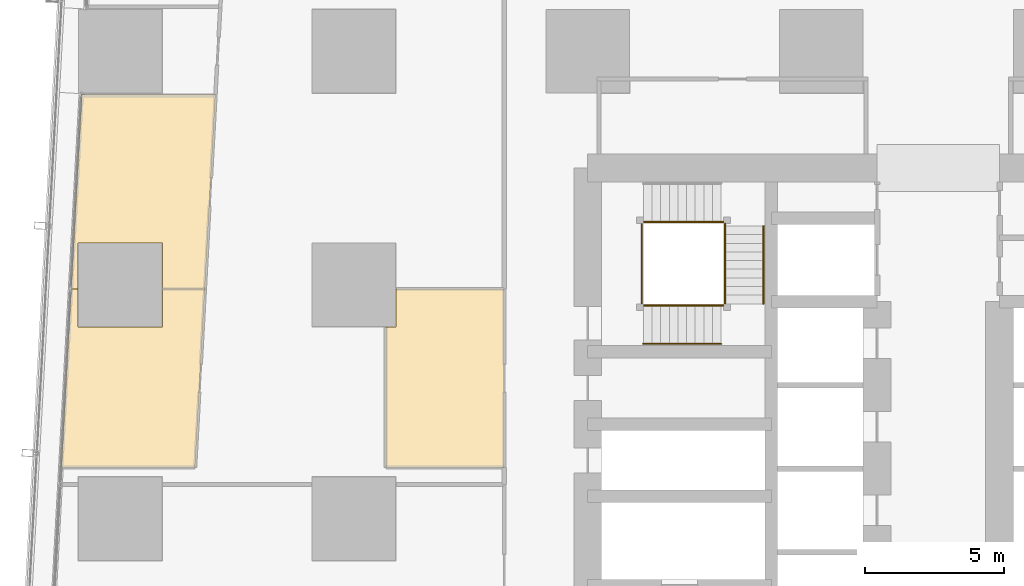
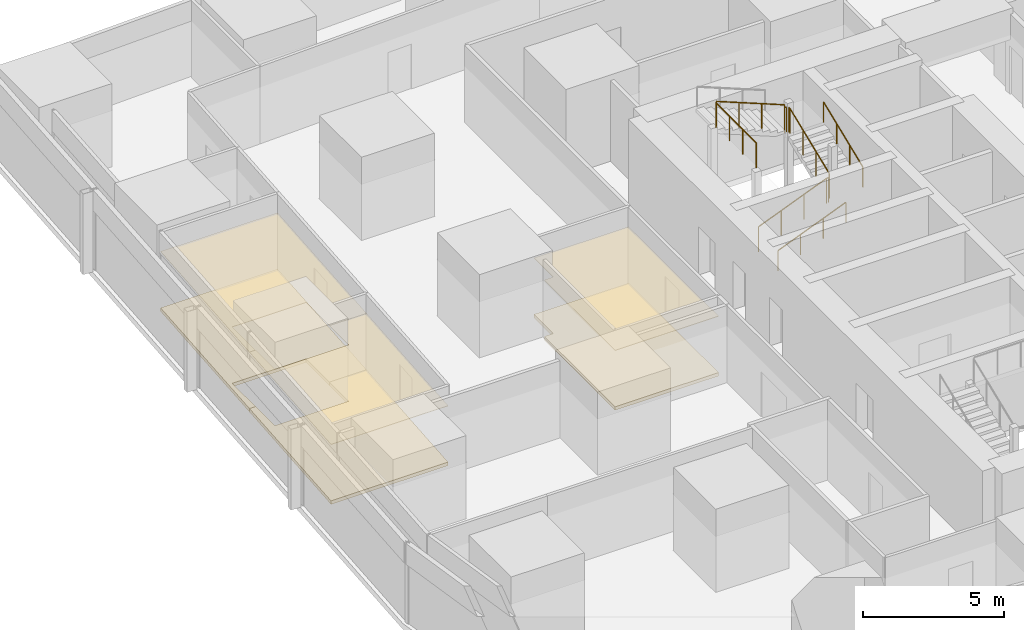
# One storey, part 35 of 39: 9 railings, 6 coverings.
"""IFC4 building model written with IfcOpenShell, lengths in metres."""

from ifc_helpers import new_model, si_unit, direction, frame, origin, origin_2d, place, context, subcontext, project, spatial, polyline, circle, outline, extrude, material, layer, layer_set, type_object, element, save


model = new_model("IFC4")

# Units and contexts
model_context = context("Model", 3, precision=1e-05, world=origin(), true_north=direction((0.0, 1.0)))
body_context = subcontext(model_context, "Body", "Model", "MODEL_VIEW")
ifc_project = project(units=[si_unit("LENGTHUNIT", "METRE"), si_unit("AREAUNIT", "SQUARE_METRE"), si_unit("VOLUMEUNIT", "CUBIC_METRE"), si_unit("PLANEANGLEUNIT", "RADIAN"), si_unit("MASSUNIT", "GRAM", prefix="KILO")], contexts=[model_context])

# Site, building, storey
site_placement = place(None, origin())
site = spatial("IfcSite", under=ifc_project, at=site_placement, CompositionType="ELEMENT")
building_placement = place(site_placement, origin())
building = spatial("IfcBuilding", under=site, at=building_placement, Name="Rekha Terrace Tower", CompositionType="ELEMENT")
storey_placement = place(building_placement, frame((0.0, 0.0, 155.300048828125)))
storey = spatial("IfcBuildingStorey", under=building, at=storey_placement, Name="L39", CompositionType="ELEMENT", Elevation=155.300048828125)

# Coverings
ifc_material_1 = material(Name="Mineral fibre tile in exposed grid", Category="finish")
ifc_layer_1 = layer(ifc_material_1, 0.02001953125)
ifc_layer_set_1 = layer_set([ifc_layer_1], Name="Mineral fibre tile in exposed grid")
covering_type_1 = type_object("IfcCoveringType", Name="CL1 600x1200 office grid ceiling", PredefinedType="CEILING", material=ifc_layer_set_1)
covering_1_placement = place(storey_placement, frame((0.0, 0.0, 2.579833984375)))
element("IfcCovering", 1, at=covering_1_placement, inside=storey, type_object=covering_type_1, Name="Ceiling L39-16", PredefinedType="CEILING", context=body_context, shape_type="SweptSolid", body=[
    extrude(outline(polyline([(11.823974609375, 48.842041015625), (7.01708984375, 48.842041015625), (6.634033203125, 41.85498046875), (6.885009765625, 41.85498046875), (6.885009765625, 43.514892578125), (9.9150390625, 43.514892578125), (9.9150390625, 41.85498046875), (11.44091796875, 41.85498046875), (11.823974609375, 48.842041015625)])), origin(), (0.0, 0.0, 1.0), 0.02001953125),
])
covering_2_placement = place(storey_placement, frame((0.0, 0.0, 2.579833984375)))
element("IfcCovering", 2, at=covering_2_placement, inside=storey, type_object=covering_type_1, Name="Ceiling L39-17", PredefinedType="CEILING", context=body_context, shape_type="SweptSolid", body=[
    extrude(outline(polyline([(6.885009765625, 41.85400390625), (6.634033203125, 41.85400390625), (6.282958984375, 35.447021484375), (11.090087890625, 35.447021484375), (11.44091796875, 41.85400390625), (9.9150390625, 41.85400390625), (9.9150390625, 40.485107421875), (6.885009765625, 40.485107421875), (6.885009765625, 41.85400390625)])), origin(), (0.0, 0.0, 1.0), 0.02001953125),
])
covering_3_placement = place(storey_placement, frame((0.0, 0.0, 2.579833984375)))
element("IfcCovering", 3, at=covering_3_placement, inside=storey, type_object=covering_type_1, Name="Ceiling L39-18", PredefinedType="CEILING", context=body_context, shape_type="SweptSolid", body=[
    extrude(outline(polyline([(18.31494140625, 40.485107421875), (17.949951171875, 40.485107421875), (17.949951171875, 35.447021484375), (22.199951171875, 35.447021484375), (22.199951171875, 41.85498046875), (18.31494140625, 41.85498046875), (18.31494140625, 40.485107421875)])), origin(), (0.0, 0.0, 1.0), 0.02001953125),
])

# Railings
ifc_material_2 = material(Name="Stainless steel balustrade", Category="steel")
railing_type_1 = type_object("IfcRailingType", Name="GR1 1100 stair guard", PredefinedType="GUARDRAIL", material=ifc_material_2)
railing_1_placement = place(storey_placement, frame((27.199951171875, 41.264892578125, 0.125)))
element("IfcRailing", 4, at=railing_1_placement, inside=storey, type_object=railing_type_1, Name="Guard ST4 L39 flight 1", PredefinedType="GUARDRAIL", context=body_context, shape_type="SweptSolid", body=[
    extrude(circle(Radius=0.02392578125, at=origin_2d()), frame((0.0, 0.0, 1.076171875), z_axis=(0.927443287984, 0.0, 0.373963831907), x_axis=(0.0, 1.0, 0.0)), (0.0, 0.0, 1.0), 3.00830078125),
    extrude(circle(Radius=0.02099609375, at=origin_2d()), origin(), (0.0, 0.0, 1.0), 1.052001953125),
    extrude(circle(Radius=0.02099609375, at=origin_2d()), frame((0.929931640625, 0.0, 0.375)), (0.0, 0.0, 1.0), 1.052001953125),
    extrude(circle(Radius=0.02099609375, at=origin_2d()), frame((1.860107421875, 0.0, 0.75)), (0.0, 0.0, 1.0), 1.052001953125),
    extrude(circle(Radius=0.02099609375, at=origin_2d()), frame((2.7900390625, 0.0, 1.125)), (0.0, 0.0, 1.0), 1.052001953125),
])
railing_2_placement = place(storey_placement, frame((30.135009765625, 41.324951171875, 1.375)))
element("IfcRailing", 5, at=railing_2_placement, inside=storey, type_object=railing_type_1, Name="Guard ST4 L39 flight 2", PredefinedType="GUARDRAIL", context=body_context, shape_type="SweptSolid", body=[
    extrude(circle(Radius=0.02392578125, at=origin_2d()), frame((0.0, 0.0, 1.076171875), z_axis=(0.0, 0.927443287984, 0.373963831907), x_axis=(-1.0, 0.0, 0.0)), (0.0, 0.0, 1.0), 3.00830078125),
    extrude(circle(Radius=0.02099609375, at=origin_2d()), origin(), (0.0, 0.0, 1.0), 1.052001953125),
    extrude(circle(Radius=0.02099609375, at=origin_2d()), frame((0.0, 0.929931640625, 0.375)), (0.0, 0.0, 1.0), 1.052001953125),
    extrude(circle(Radius=0.02099609375, at=origin_2d()), frame((0.0, 1.860107421875, 0.75)), (0.0, 0.0, 1.0), 1.052001953125),
    extrude(circle(Radius=0.02099609375, at=origin_2d()), frame((0.0, 2.7900390625, 1.125)), (0.0, 0.0, 1.0), 1.052001953125),
])
railing_3_placement = place(storey_placement, frame((29.989990234375, 44.260009765625, 2.625)))
element("IfcRailing", 6, at=railing_3_placement, inside=storey, type_object=railing_type_1, Name="Guard ST4 L39 flight 3", PredefinedType="GUARDRAIL", context=body_context, shape_type="SweptSolid", body=[
    extrude(circle(Radius=0.02392578125, at=origin_2d()), frame((0.0, 0.0, 1.076171875), z_axis=(-0.927443287984, 0.0, 0.373963831907), x_axis=(0.0, -1.0, 0.0)), (0.0, 0.0, 1.0), 3.00830078125),
    extrude(circle(Radius=0.02099609375, at=origin_2d()), origin(), (0.0, 0.0, 1.0), 1.052001953125),
    extrude(circle(Radius=0.02099609375, at=origin_2d()), frame((-0.929931640625, 0.0, 0.375)), (0.0, 0.0, 1.0), 1.052001953125),
    extrude(circle(Radius=0.02099609375, at=origin_2d()), frame((-1.860107421875, 0.0, 0.75)), (0.0, 0.0, 1.0), 1.052001953125),
    extrude(circle(Radius=0.02099609375, at=origin_2d()), frame((-2.7900390625, 0.0, 1.125)), (0.0, 0.0, 1.0), 1.052001953125),
])
railing_4_placement = place(storey_placement, frame((29.989990234375, 41.264892578125, 1.25)))
element("IfcRailing", 7, at=railing_4_placement, inside=storey, type_object=railing_type_1, Name="Guard ST4 L39 landing 1", PredefinedType="GUARDRAIL", context=body_context, shape_type="SweptSolid", body=[
    extrude(circle(Radius=0.02392578125, at=origin_2d()), frame((0.0, 0.0, 1.076171875), z_axis=(1.0, 0.0, 0.0), x_axis=(0.0, 1.0, 0.0)), (0.0, 0.0, 1.0), 0.0849609375),
    extrude(circle(Radius=0.02099609375, at=origin_2d()), origin(), (0.0, 0.0, 1.0), 1.052001953125),
    extrude(circle(Radius=0.02099609375, at=origin_2d()), frame((0.0849609375, 0.0, 0.0)), (0.0, 0.0, 1.0), 1.052001953125),
])
railing_5_placement = place(storey_placement, frame((30.135009765625, 44.114990234375, 2.5)))
element("IfcRailing", 8, at=railing_5_placement, inside=storey, type_object=railing_type_1, Name="Guard ST4 L39 landing 2", PredefinedType="GUARDRAIL", context=body_context, shape_type="SweptSolid", body=[
    extrude(circle(Radius=0.02392578125, at=origin_2d()), frame((0.0, 0.0, 1.076171875), z_axis=(0.0, 1.0, 0.0), x_axis=(-1.0, 0.0, 0.0)), (0.0, 0.0, 1.0), 0.0849609375),
    extrude(circle(Radius=0.02099609375, at=origin_2d()), origin(), (0.0, 0.0, 1.0), 1.052001953125),
    extrude(circle(Radius=0.02099609375, at=origin_2d()), frame((0.0, 0.0849609375, 0.0)), (0.0, 0.0, 1.0), 1.052001953125),
])
railing_6_placement = place(storey_placement, frame((29.989990234375, 44.260009765625, 2.5)))
element("IfcRailing", 9, at=railing_6_placement, inside=storey, type_object=railing_type_1, Name="Guard ST4 L39 landing 3", PredefinedType="GUARDRAIL", context=body_context, shape_type="SweptSolid", body=[
    extrude(circle(Radius=0.02392578125, at=origin_2d()), frame((0.0, 0.0, 1.076171875), z_axis=(1.0, 0.0, 0.0), x_axis=(0.0, 1.0, 0.0)), (0.0, 0.0, 1.0), 0.0849609375),
    extrude(circle(Radius=0.02099609375, at=origin_2d()), origin(), (0.0, 0.0, 1.0), 1.052001953125),
    extrude(circle(Radius=0.02099609375, at=origin_2d()), frame((0.0849609375, 0.0, 0.0)), (0.0, 0.0, 1.0), 1.052001953125),
])
railing_7_placement = place(storey_placement, frame((27.139892578125, 41.324951171875, 3.75)))
element("IfcRailing", 10, at=railing_7_placement, inside=storey, type_object=railing_type_1, Name="Guard ST4 L39 landing 4", PredefinedType="GUARDRAIL", context=body_context, shape_type="SweptSolid", body=[
    extrude(circle(Radius=0.02392578125, at=origin_2d()), frame((0.0, 0.0, 1.076171875), z_axis=(0.0, 1.0, 0.0), x_axis=(-1.0, 0.0, 0.0)), (0.0, 0.0, 1.0), 2.875),
    extrude(circle(Radius=0.02099609375, at=origin_2d()), origin(), (0.0, 0.0, 1.0), 1.052001953125),
    extrude(circle(Radius=0.02099609375, at=origin_2d()), frame((0.0, 0.958251953125, 0.0)), (0.0, 0.0, 1.0), 1.052001953125),
    extrude(circle(Radius=0.02099609375, at=origin_2d()), frame((0.0, 1.916748046875, 0.0)), (0.0, 0.0, 1.0), 1.052001953125),
    extrude(circle(Radius=0.02099609375, at=origin_2d()), frame((0.0, 2.875, 0.0)), (0.0, 0.0, 1.0), 1.052001953125),
])
ifc_material_3 = material(Name="Stainless steel tube", Category="steel")
railing_type_2 = type_object("IfcRailingType", Name="HR1 900 stair handrail", PredefinedType="HANDRAIL", material=ifc_material_3)
railing_8_placement = place(storey_placement, frame((27.199951171875, 39.885009765625, 0.125)))
element("IfcRailing", 11, at=railing_8_placement, inside=storey, type_object=railing_type_2, Name="Handrail ST4 L39 flight 1", PredefinedType="HANDRAIL", context=body_context, shape_type="SweptSolid", body=[
    extrude(circle(Radius=0.02392578125, at=origin_2d()), frame((0.0, 0.0, 0.8759765625), z_axis=(0.927443287984, 0.0, 0.373963831907), x_axis=(0.0, 1.0, 0.0)), (0.0, 0.0, 1.0), 3.00830078125),
    extrude(circle(Radius=0.02099609375, at=origin_2d()), origin(), (0.0, 0.0, 1.0), 0.851806640625),
    extrude(circle(Radius=0.02099609375, at=origin_2d()), frame((0.929931640625, 0.0, 0.375)), (0.0, 0.0, 1.0), 0.851806640625),
    extrude(circle(Radius=0.02099609375, at=origin_2d()), frame((1.860107421875, 0.0, 0.75)), (0.0, 0.0, 1.0), 0.851806640625),
    extrude(circle(Radius=0.02099609375, at=origin_2d()), frame((2.7900390625, 0.0, 1.125)), (0.0, 0.0, 1.0), 0.851806640625),
])
railing_9_placement = place(storey_placement, frame((31.514892578125, 41.324951171875, 1.375)))
element("IfcRailing", 12, at=railing_9_placement, inside=storey, type_object=railing_type_2, Name="Handrail ST4 L39 flight 2", PredefinedType="HANDRAIL", context=body_context, shape_type="SweptSolid", body=[
    extrude(circle(Radius=0.02392578125, at=origin_2d()), frame((0.0, 0.0, 0.8759765625), z_axis=(0.0, 0.927443287984, 0.373963831907), x_axis=(-1.0, 0.0, 0.0)), (0.0, 0.0, 1.0), 3.00830078125),
    extrude(circle(Radius=0.02099609375, at=origin_2d()), origin(), (0.0, 0.0, 1.0), 0.851806640625),
    extrude(circle(Radius=0.02099609375, at=origin_2d()), frame((0.0, 0.929931640625, 0.375)), (0.0, 0.0, 1.0), 0.851806640625),
    extrude(circle(Radius=0.02099609375, at=origin_2d()), frame((0.0, 1.860107421875, 0.75)), (0.0, 0.0, 1.0), 0.851806640625),
    extrude(circle(Radius=0.02099609375, at=origin_2d()), frame((0.0, 2.7900390625, 1.125)), (0.0, 0.0, 1.0), 0.851806640625),
])

# Coverings
ifc_material_4 = material(Name="Calcium sulphate panels on steel pedestals", Category="steel")
ifc_layer_2 = layer(ifc_material_4, 0.14990234375)
ifc_layer_set_2 = layer_set([ifc_layer_2], Name="Calcium sulphate panels on steel pedestals")
covering_type_2 = type_object("IfcCoveringType", Name="RF1 150 raised access floor", PredefinedType="FLOORING", material=ifc_layer_set_2)
covering_4_placement = place(storey_placement, origin())
element("IfcCovering", 13, at=covering_4_placement, inside=storey, type_object=covering_type_2, Name="Raised floor L39-16", PredefinedType="FLOORING", context=body_context, shape_type="SweptSolid", body=[
    extrude(outline(polyline([(11.823974609375, 48.842041015625), (7.01708984375, 48.842041015625), (6.634033203125, 41.85498046875), (6.885009765625, 41.85498046875), (6.885009765625, 43.514892578125), (9.9150390625, 43.514892578125), (9.9150390625, 41.85498046875), (11.44091796875, 41.85498046875), (11.823974609375, 48.842041015625)])), origin(), (0.0, 0.0, 1.0), 0.14990234375),
])
covering_5_placement = place(storey_placement, origin())
element("IfcCovering", 14, at=covering_5_placement, inside=storey, type_object=covering_type_2, Name="Raised floor L39-17", PredefinedType="FLOORING", context=body_context, shape_type="SweptSolid", body=[
    extrude(outline(polyline([(6.885009765625, 41.85400390625), (6.634033203125, 41.85400390625), (6.282958984375, 35.447021484375), (11.090087890625, 35.447021484375), (11.44091796875, 41.85400390625), (9.9150390625, 41.85400390625), (9.9150390625, 40.485107421875), (6.885009765625, 40.485107421875), (6.885009765625, 41.85400390625)])), origin(), (0.0, 0.0, 1.0), 0.14990234375),
])
covering_6_placement = place(storey_placement, origin())
element("IfcCovering", 15, at=covering_6_placement, inside=storey, type_object=covering_type_2, Name="Raised floor L39-18", PredefinedType="FLOORING", context=body_context, shape_type="SweptSolid", body=[
    extrude(outline(polyline([(18.31494140625, 40.485107421875), (17.949951171875, 40.485107421875), (17.949951171875, 35.447021484375), (22.199951171875, 35.447021484375), (22.199951171875, 41.85498046875), (18.31494140625, 41.85498046875), (18.31494140625, 40.485107421875)])), origin(), (0.0, 0.0, 1.0), 0.14990234375),
])

save(model, "model.ifc")
